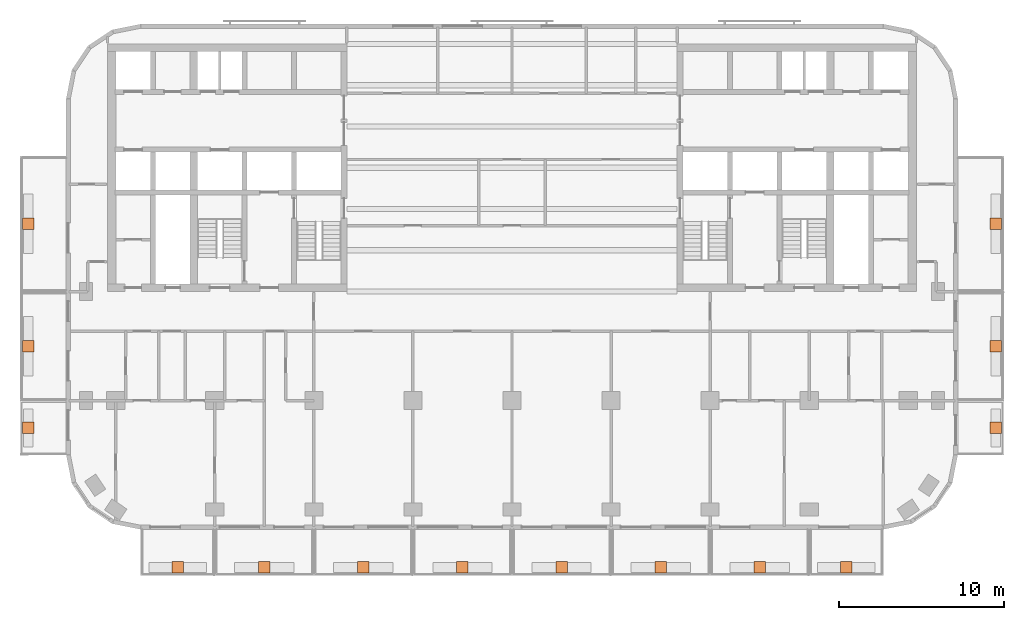
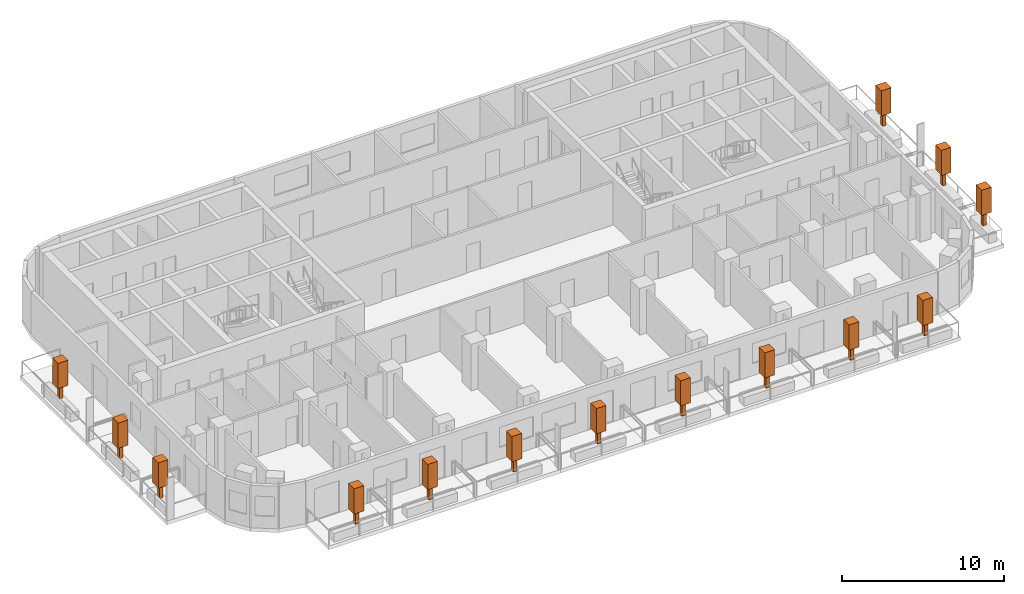
# One storey, part 11 of 11: 14 geographic elements.
"""IFC4 building model written with IfcOpenShell, lengths in metres."""

from ifc_helpers import new_model, si_unit, direction, frame, origin, origin_2d, place, context, subcontext, project, spatial, rectangle, extrude, material, element, save


model = new_model("IFC4")

# Units and contexts
model_context = context("Model", 3, precision=1e-05, world=origin(), true_north=direction((0.0, 1.0)))
body_context = subcontext(model_context, "Body", "Model", "MODEL_VIEW")
ifc_project = project(units=[si_unit("LENGTHUNIT", "METRE"), si_unit("AREAUNIT", "SQUARE_METRE"), si_unit("VOLUMEUNIT", "CUBIC_METRE"), si_unit("PLANEANGLEUNIT", "RADIAN"), si_unit("MASSUNIT", "GRAM", prefix="KILO")], contexts=[model_context])

# Site, building, storey
site_placement = place(None, origin())
site = spatial("IfcSite", under=ifc_project, at=site_placement, CompositionType="ELEMENT")
building_placement = place(site_placement, origin())
building = spatial("IfcBuilding", under=site, at=building_placement, Name="Torana Hotel and Residences", CompositionType="ELEMENT")
storey_placement = place(building_placement, frame((0.0, 0.0, 243.10009765625)))
storey = spatial("IfcBuildingStorey", under=building, at=storey_placement, Name="L64", CompositionType="ELEMENT", Elevation=243.10009765625)

# Geographic elements
ifc_material = material(Name="Foliage", Category="planting")
for number, where, z_axis, x_axis, name in (
    (1, (-20.25, -31.699951171875, 0.64990234375), (0.0, 0.0, 1.0), (1.0, 0.0, 0.0), "Tree 01"),
    (2, (-15.0, -31.699951171875, 0.64990234375), (0.0, 0.0, 1.0), (1.0, 0.0, 0.0), "Tree 02"),
    (3, (-9.0, -31.699951171875, 0.64990234375), (0.0, 0.0, 1.0), (1.0, 0.0, 0.0), "Tree 03"),
    (4, (-3.0, -31.699951171875, 0.64990234375), (0.0, 0.0, 1.0), (1.0, 0.0, 0.0), "Tree 04"),
    (5, (3.0, -31.699951171875, 0.64990234375), (0.0, 0.0, 1.0), (1.0, 0.0, 0.0), "Tree 05"),
    (6, (9.0, -31.699951171875, 0.64990234375), (0.0, 0.0, 1.0), (1.0, 0.0, 0.0), "Tree 06"),
    (7, (15.0, -31.699951171875, 0.64990234375), (0.0, 0.0, 1.0), (1.0, 0.0, 0.0), "Tree 07"),
    (8, (20.25, -31.699951171875, 0.64990234375), (0.0, 0.0, 1.0), (1.0, 0.0, 0.0), "Tree 08"),
    (9, (-29.300048828125, -23.25, 0.64990234375), (0.0, 0.0, 1.0), (1.0, 0.0, 0.0), "Tree 09"),
    (10, (-29.300048828125, -18.300048828125, 0.64990234375), (0.0, 0.0, 1.0), (1.0, 0.0, 0.0), "Tree 10"),
    (11, (-29.300048828125, -10.89990234375, 0.64990234375), (0.0, 0.0, 1.0), (1.0, 0.0, 0.0), "Tree 11"),
    (12, (29.300048828125, -23.25, 0.64990234375), (0.0, 0.0, 1.0), (1.0, 0.0, 0.0), "Tree 12"),
    (13, (29.300048828125, -18.300048828125, 0.64990234375), (0.0, 0.0, 1.0), (1.0, 0.0, 0.0), "Tree 13"),
    (14, (29.300048828125, -10.89990234375, 0.64990234375), (0.0, 0.0, 1.0), (1.0, 0.0, 0.0), "Tree 14"),
):
    element("IfcGeographicElement", number, at=place(storey_placement, frame(where, z_axis=z_axis, x_axis=x_axis)), inside=storey, material=ifc_material, Name=name, ObjectType="TREE", PredefinedType="USERDEFINED", context=body_context, shape_type="SweptSolid", body=[
        extrude(rectangle(XDim=0.25, YDim=0.25, at=origin_2d()), origin(), (0.0, 0.0, 1.0), 1.0),
        extrude(rectangle(XDim=0.699951171875, YDim=0.699951171875, at=origin_2d()), frame((0.0, 0.0, 1.0)), (0.0, 0.0, 1.0), 1.89990234375),
    ])

save(model, "model.ifc")
